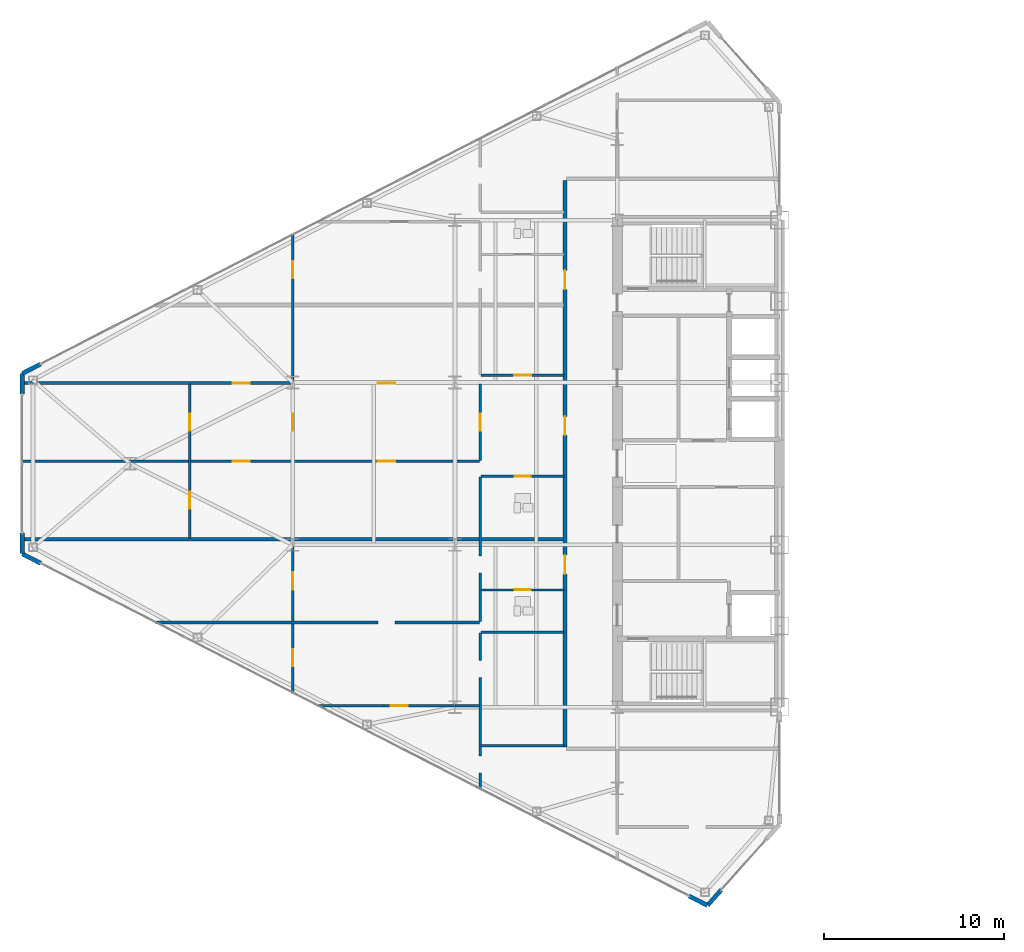
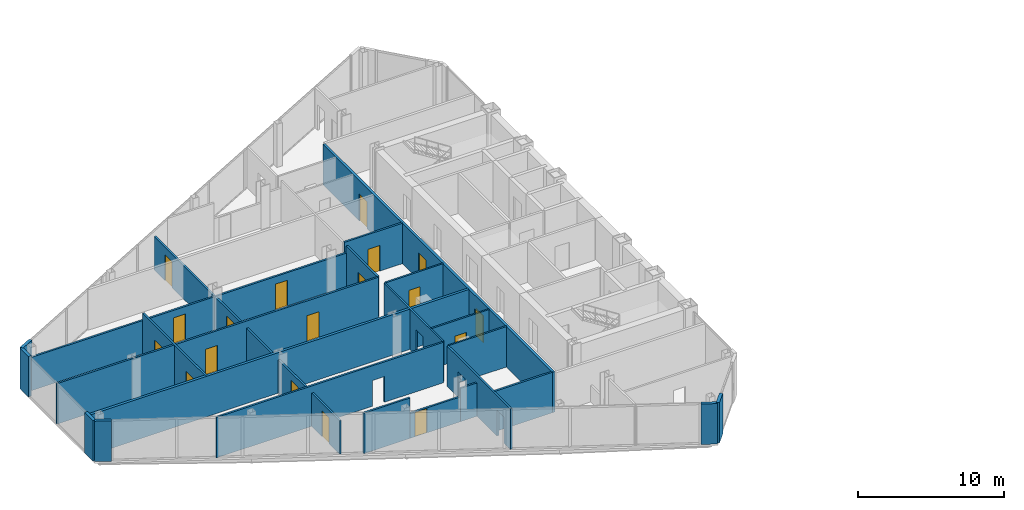
# One storey, part 15 of 23: 24 walls, 18 doors, 22 openings.
"""IFC4 building model written with IfcOpenShell, lengths in metres."""

from ifc_helpers import new_model, si_unit, direction, frame, frame_2d, origin, place, context, subcontext, project, spatial, rectangle, extrude, source, transform, mapped, material, layer, layer_set, type_object, type_shapes, element, fill, save


model = new_model("IFC4")

# Units and contexts
model_context = context("Model", 3, precision=1e-05, world=origin(), true_north=direction((0.0, 1.0)))
body_context = subcontext(model_context, "Body", "Model", "MODEL_VIEW")
ifc_project = project(units=[si_unit("LENGTHUNIT", "METRE"), si_unit("AREAUNIT", "SQUARE_METRE"), si_unit("VOLUMEUNIT", "CUBIC_METRE"), si_unit("PLANEANGLEUNIT", "RADIAN"), si_unit("MASSUNIT", "GRAM", prefix="KILO")], contexts=[model_context])

# Site, building, storey
site_placement = place(None, origin())
site = spatial("IfcSite", under=ifc_project, at=site_placement, CompositionType="ELEMENT")
building_placement = place(site_placement, origin())
building = spatial("IfcBuilding", under=site, at=building_placement, Name="Seokmaru Belvedere", CompositionType="ELEMENT")
storey_placement = place(building_placement, frame((0.0, 0.0, 154.800048828125)))
storey = spatial("IfcBuildingStorey", under=building, at=storey_placement, Name="L41", CompositionType="ELEMENT", Elevation=154.800048828125)

# Walls
ifc_material_1 = material(Name="Fire-Rated Gypsum Shaftwall")
ifc_layer_1 = layer(ifc_material_1, 0.14990234375)
ifc_layer_set_1 = layer_set([ifc_layer_1], Name="Fire-Rated Gypsum Shaftwall")
wall_type_1 = type_object("IfcWallType", Name="Apartment Fire-Acoustic Room Partition 150", PredefinedType="PARTITIONING", material=ifc_layer_set_1)
wall_1_placement = place(storey_placement, frame((-44.050048828125, -15.639892578125, 0.0), z_axis=(0.0, 0.0, 1.0), x_axis=(1.0, 0.0, 0.0)))
element("IfcWall", 1, at=wall_1_placement, inside=storey, type_object=wall_type_1, Name="L41 Interior Partition 006", PredefinedType="PARTITIONING", context=body_context, shape_type="SweptSolid", body=[
    extrude(rectangle(XDim=4.60009765625, YDim=0.14990234375, at=frame_2d((2.300048828125, 0.0))), origin(), (0.0, 0.0, 1.0), 3.3798828125),
])
wall_2_placement = place(storey_placement, frame((-53.12109375, -13.419921875, 0.0), z_axis=(0.0, 0.0, 1.0), x_axis=(1.0, 0.0, 0.0)))
element("IfcWall", 2, at=wall_2_placement, inside=storey, type_object=wall_type_1, Name="L41 Interior Partition 008", PredefinedType="PARTITIONING", context=body_context, shape_type="SweptSolid", body=[
    extrude(rectangle(XDim=3.67138671875, YDim=0.14990234375, at=frame_2d((1.835693359375, 0.0))), origin(), (0.0, 0.0, 1.0), 3.3798828125),
])

# Wall, opening, door
wall_3_placement = place(storey_placement, frame((-49.44970703125, -13.419921875, 0.0), z_axis=(0.0, 0.0, 1.0), x_axis=(1.0, 0.0, 0.0)))
wall_3 = element("IfcWall", 3, at=wall_3_placement, inside=storey, type_object=wall_type_1, Name="L41 Interior Partition 008 Part 2", PredefinedType="PARTITIONING", context=body_context, shape_type="SweptSolid", body=[
    extrude(rectangle(XDim=3.984619140625, YDim=0.14990234375, at=frame_2d((1.9921875, 0.0))), origin(), (0.0, 0.0, 1.0), 2.079833984375),
])
opening_1_placement = place(wall_3_placement, frame((0.381591796875, 0.0, 0.0)))
opening_1 = element("IfcOpeningElement", 4, at=opening_1_placement, cuts=wall_3, Name="Opening D05", PredefinedType="OPENING", context=body_context, shape_type="SweptSolid", body=[
    extrude(rectangle(XDim=0.949951171875, YDim=2.030029296875, at=frame_2d((0.47509765625, 1.01513671875))), frame((0.0, 0.0849609375, 0.0), z_axis=(0.0, -1.0, 0.0), x_axis=(1.0, 0.0, 0.0)), (0.0, 0.0, 1.0), 0.169921875),
])
ifc_material_2 = material(Name="Engineered White Oak Timber", Category="wood")
door_type_1 = type_object("IfcDoorType", Name="Apartment Interior Fire-Rated Oak Door 950x2150", OperationType="NOTDEFINED", PredefinedType="DOOR", material=ifc_material_2)
shared_shape_1 = source(origin(), body_context, "Body", "SweptSolid", [
    extrude(rectangle(XDim=0.949951171875, YDim=2.030029296875, at=frame_2d((0.47509765625, 1.01513671875))), frame((0.0, 0.02490234375, 0.0), z_axis=(0.0, -1.0, 0.0), x_axis=(1.0, 0.0, 0.0)), (0.0, 0.0, 1.0), 0.050048828125),
])
door_1_placement = place(opening_1_placement, origin())
door_1 = element("IfcDoor", 5, at=door_1_placement, inside=storey, type_object=door_type_1, Name="L41 Interior Door 008", OperationType="SINGLE_SWING_RIGHT", OverallHeight=2.030029296875, OverallWidth=0.949951171875, PredefinedType="DOOR", context=body_context, shape_type="MappedRepresentation", body=[
    mapped(shared_shape_1, transform((0.0, 0.0, 0.0), scale=1.0)),
])
fill(opening_1, door_1)

# Wall
wall_4_placement = place(storey_placement, frame((-45.465087890625, -13.419921875, 0.0), z_axis=(0.0, 0.0, 1.0), x_axis=(1.0, 0.0, 0.0)))
element("IfcWall", 6, at=wall_4_placement, inside=storey, type_object=wall_type_1, Name="L41 Interior Partition 008 Part 3", PredefinedType="PARTITIONING", context=body_context, shape_type="SweptSolid", body=[
    extrude(rectangle(XDim=1.315185546875, YDim=0.14990234375, at=frame_2d((0.65771484375, 0.0))), origin(), (0.0, 0.0, 1.0), 2.780029296875),
])

# Wall, opening
wall_5_placement = place(storey_placement, frame((-62.10791015625, -8.81005859375, 0.0), z_axis=(0.0, 0.0, 1.0), x_axis=(1.0, 0.0, 0.0)))
wall_5 = element("IfcWall", 7, at=wall_5_placement, inside=storey, type_object=wall_type_1, Name="L41 Interior Partition 012", PredefinedType="PARTITIONING", context=body_context, shape_type="SweptSolid", body=[
    extrude(rectangle(XDim=17.9580078125, YDim=0.14990234375, at=frame_2d((8.97900390625, 0.0))), origin(), (0.0, 0.0, 1.0), 3.3798828125),
])
opening_2_placement = place(wall_5_placement, frame((12.3330078125, 0.0, 0.0)))
element("IfcOpeningElement", 8, at=opening_2_placement, cuts=wall_5, Name="L41 Cased Opening 005", PredefinedType="OPENING", context=body_context, shape_type="SweptSolid", body=[
    extrude(rectangle(XDim=0.949951171875, YDim=2.14990234375, at=frame_2d((0.47509765625, 1.074951171875))), frame((0.0, 0.0849609375, 0.0), z_axis=(0.0, -1.0, 0.0), x_axis=(1.0, 0.0, 0.0)), (0.0, 0.0, 1.0), 0.169921875),
])

# Wall, openings, doors
wall_6_placement = place(storey_placement, frame((-69.534912109375, 0.1298828125, 0.0), z_axis=(0.0, 0.0, 1.0), x_axis=(1.0, 0.0, 0.0)))
wall_6 = element("IfcWall", 9, at=wall_6_placement, inside=storey, type_object=wall_type_1, Name="L41 Interior Partition 020", PredefinedType="PARTITIONING", context=body_context, shape_type="SweptSolid", body=[
    extrude(rectangle(XDim=25.385009765625, YDim=0.14990234375, at=frame_2d((12.6923828125, 0.0))), origin(), (0.0, 0.0, 1.0), 3.3798828125),
])
opening_3_placement = place(wall_6_placement, frame((19.760009765625, 0.0, 0.0)))
opening_3 = element("IfcOpeningElement", 10, at=opening_3_placement, cuts=wall_6, Name="Opening D05", PredefinedType="OPENING", context=body_context, shape_type="SweptSolid", body=[
    extrude(rectangle(XDim=0.949951171875, YDim=2.14990234375, at=frame_2d((0.47509765625, 1.074951171875))), frame((0.0, 0.0849609375, 0.0), z_axis=(0.0, -1.0, 0.0), x_axis=(1.0, 0.0, 0.0)), (0.0, 0.0, 1.0), 0.169921875),
])
opening_4_placement = place(wall_6_placement, frame((11.7099609375, 0.0, 0.0)))
opening_4 = element("IfcOpeningElement", 11, at=opening_4_placement, cuts=wall_6, Name="Opening D05", PredefinedType="OPENING", context=body_context, shape_type="SweptSolid", body=[
    extrude(rectangle(XDim=0.949951171875, YDim=2.14990234375, at=frame_2d((0.47509765625, 1.074951171875))), frame((0.0, 0.0849609375, 0.0), z_axis=(0.0, -1.0, 0.0), x_axis=(1.0, 0.0, 0.0)), (0.0, 0.0, 1.0), 0.169921875),
])
shared_shape_2 = source(origin(), body_context, "Body", "SweptSolid", [
    extrude(rectangle(XDim=0.949951171875, YDim=2.14990234375, at=frame_2d((0.47509765625, 1.074951171875))), frame((0.0, 0.02490234375, 0.0), z_axis=(0.0, -1.0, 0.0), x_axis=(1.0, 0.0, 0.0)), (0.0, 0.0, 1.0), 0.050048828125),
])
type_shapes(door_type_1, [shared_shape_2, shared_shape_1])
door_2_placement = place(opening_3_placement, origin())
door_2 = element("IfcDoor", 12, at=door_2_placement, inside=storey, type_object=door_type_1, Name="L41 Interior Door 017", OperationType="SINGLE_SWING_LEFT", OverallHeight=2.14990234375, OverallWidth=0.949951171875, PredefinedType="DOOR", context=body_context, shape_type="MappedRepresentation", body=[
    mapped(shared_shape_2, transform((0.0, 0.0, 0.0), scale=1.0)),
])
fill(opening_3, door_2)
door_3_placement = place(opening_4_placement, origin())
door_3 = element("IfcDoor", 13, at=door_3_placement, inside=storey, type_object=door_type_1, Name="L41 Interior Door 019", OperationType="SINGLE_SWING_LEFT", OverallHeight=2.14990234375, OverallWidth=0.949951171875, PredefinedType="DOOR", context=body_context, shape_type="MappedRepresentation", body=[
    mapped(shared_shape_2, transform((0.0, 0.0, 0.0), scale=1.0)),
])
fill(opening_4, door_3)

wall_7_placement = place(storey_placement, frame((-69.375, 4.469970703125, 0.0), z_axis=(0.0, 0.0, 1.0), x_axis=(1.0, 0.0, 0.0)))
wall_7 = element("IfcWall", 14, at=wall_7_placement, inside=storey, type_object=wall_type_1, Name="L41 Interior Partition 023", PredefinedType="PARTITIONING", context=body_context, shape_type="SweptSolid", body=[
    extrude(rectangle(XDim=25.22509765625, YDim=0.14990234375, at=frame_2d((12.612548828125, 0.0))), origin(), (0.0, 0.0, 1.0), 2.780029296875),
])
opening_5_placement = place(wall_7_placement, frame((19.60009765625, 0.0, 0.0)))
opening_5 = element("IfcOpeningElement", 15, at=opening_5_placement, cuts=wall_7, Name="Opening D05", PredefinedType="OPENING", context=body_context, shape_type="SweptSolid", body=[
    extrude(rectangle(XDim=0.949951171875, YDim=2.14990234375, at=frame_2d((0.47509765625, 1.074951171875))), frame((0.0, 0.0849609375, 0.0), z_axis=(0.0, -1.0, 0.0), x_axis=(1.0, 0.0, 0.0)), (0.0, 0.0, 1.0), 0.169921875),
])
opening_6_placement = place(wall_7_placement, frame((11.550048828125, 0.0, 0.0)))
opening_6 = element("IfcOpeningElement", 16, at=opening_6_placement, cuts=wall_7, Name="Opening D05", PredefinedType="OPENING", context=body_context, shape_type="SweptSolid", body=[
    extrude(rectangle(XDim=0.949951171875, YDim=2.14990234375, at=frame_2d((0.47509765625, 1.074951171875))), frame((0.0, 0.0849609375, 0.0), z_axis=(0.0, -1.0, 0.0), x_axis=(1.0, 0.0, 0.0)), (0.0, 0.0, 1.0), 0.169921875),
])
door_4_placement = place(opening_5_placement, origin())
door_4 = element("IfcDoor", 17, at=door_4_placement, inside=storey, type_object=door_type_1, Name="L41 Interior Door 018", OperationType="SINGLE_SWING_RIGHT", OverallHeight=2.14990234375, OverallWidth=0.949951171875, PredefinedType="DOOR", context=body_context, shape_type="MappedRepresentation", body=[
    mapped(shared_shape_2, transform((0.0, 0.0, 0.0), scale=1.0)),
])
fill(opening_5, door_4)
door_5_placement = place(opening_6_placement, origin())
door_5 = element("IfcDoor", 18, at=door_5_placement, inside=storey, type_object=door_type_1, Name="L41 Interior Door 022", OperationType="SINGLE_SWING_RIGHT", OverallHeight=2.14990234375, OverallWidth=0.949951171875, PredefinedType="DOOR", context=body_context, shape_type="MappedRepresentation", body=[
    mapped(shared_shape_2, transform((0.0, 0.0, 0.0), scale=1.0)),
])
fill(opening_6, door_5)

# Wall, opening, door
wall_8_placement = place(storey_placement, frame((-44.050048828125, 4.89990234375, 0.0), z_axis=(0.0, 0.0, 1.0), x_axis=(1.0, 0.0, 0.0)))
wall_8 = element("IfcWall", 19, at=wall_8_placement, inside=storey, type_object=wall_type_1, Name="L41 Interior Partition 024", PredefinedType="PARTITIONING", context=body_context, shape_type="SweptSolid", body=[
    extrude(rectangle(XDim=4.60009765625, YDim=0.14990234375, at=frame_2d((2.300048828125, 0.0))), origin(), (0.0, 0.0, 1.0), 3.3798828125),
])
opening_7_placement = place(wall_8_placement, frame((1.824951171875, 0.0, 0.0)))
opening_7 = element("IfcOpeningElement", 20, at=opening_7_placement, cuts=wall_8, Name="Opening D05", PredefinedType="OPENING", context=body_context, shape_type="SweptSolid", body=[
    extrude(rectangle(XDim=0.949951171875, YDim=2.14990234375, at=frame_2d((0.47509765625, 1.074951171875))), frame((0.0, 0.0849609375, 0.0), z_axis=(0.0, -1.0, 0.0), x_axis=(1.0, 0.0, 0.0)), (0.0, 0.0, 1.0), 0.169921875),
])
door_6_placement = place(opening_7_placement, origin())
door_6 = element("IfcDoor", 21, at=door_6_placement, inside=storey, type_object=door_type_1, Name="L41 Interior Door 014", OperationType="SINGLE_SWING_LEFT", OverallHeight=2.14990234375, OverallWidth=0.949951171875, PredefinedType="DOOR", context=body_context, shape_type="MappedRepresentation", body=[
    mapped(shared_shape_2, transform((0.0, 0.0, 0.0), scale=1.0)),
])
fill(opening_7, door_6)

# Wall, openings, doors
wall_9_placement = place(storey_placement, frame((-60.199951171875, -4.14990234375, 0.0), z_axis=(0.0, 0.0, 1.0), x_axis=(0.0, 1.0, 0.0)))
wall_9 = element("IfcWall", 22, at=wall_9_placement, inside=storey, type_object=wall_type_1, Name="L41 Interior Partition 038", PredefinedType="PARTITIONING", context=body_context, shape_type="SweptSolid", body=[
    extrude(rectangle(XDim=8.56689453125, YDim=0.14990234375, at=frame_2d((4.283447265625, 0.0))), origin(), (0.0, 0.0, 1.0), 3.3798828125),
])
opening_8_placement = place(wall_9_placement, frame((1.6416015625, 0.0, 0.0)))
opening_8 = element("IfcOpeningElement", 23, at=opening_8_placement, cuts=wall_9, Name="Opening D05", PredefinedType="OPENING", context=body_context, shape_type="SweptSolid", body=[
    extrude(rectangle(XDim=0.949951171875, YDim=2.14990234375, at=frame_2d((0.47509765625, 1.074951171875))), frame((0.0, 0.0849609375, 0.0), z_axis=(0.0, -1.0, 0.0), x_axis=(1.0, 0.0, 0.0)), (0.0, 0.0, 1.0), 0.169921875),
])
opening_9_placement = place(wall_9_placement, frame((5.97509765625, 0.0, 0.0)))
opening_9 = element("IfcOpeningElement", 24, at=opening_9_placement, cuts=wall_9, Name="Opening D05", PredefinedType="OPENING", context=body_context, shape_type="SweptSolid", body=[
    extrude(rectangle(XDim=0.949951171875, YDim=2.14990234375, at=frame_2d((0.47509765625, 1.074951171875))), frame((0.0, 0.0849609375, 0.0), z_axis=(0.0, -1.0, 0.0), x_axis=(1.0, 0.0, 0.0)), (0.0, 0.0, 1.0), 0.169921875),
])
door_7_placement = place(opening_8_placement, origin())
door_7 = element("IfcDoor", 25, at=door_7_placement, inside=storey, type_object=door_type_1, Name="L41 Interior Door 020", OperationType="SINGLE_SWING_RIGHT", OverallHeight=2.14990234375, OverallWidth=0.949951171875, PredefinedType="DOOR", context=body_context, shape_type="MappedRepresentation", body=[
    mapped(shared_shape_2, transform((0.0, 0.0, 0.0), scale=1.0)),
])
fill(opening_8, door_7)
door_8_placement = place(opening_9_placement, origin())
door_8 = element("IfcDoor", 26, at=door_8_placement, inside=storey, type_object=door_type_1, Name="L41 Interior Door 021", OperationType="SINGLE_SWING_RIGHT", OverallHeight=2.14990234375, OverallWidth=0.949951171875, PredefinedType="DOOR", context=body_context, shape_type="MappedRepresentation", body=[
    mapped(shared_shape_2, transform((0.0, 0.0, 0.0), scale=1.0)),
])
fill(opening_9, door_8)

wall_10_placement = place(storey_placement, frame((-54.5, -12.73193359375, 0.0), z_axis=(0.0, 0.0, 1.0), x_axis=(0.0, 1.0, 0.0)))
wall_10 = element("IfcWall", 27, at=wall_10_placement, inside=storey, type_object=wall_type_1, Name="L41 Interior Partition 039", PredefinedType="PARTITIONING", context=body_context, shape_type="SweptSolid", body=[
    extrude(rectangle(XDim=25.4638671875, YDim=0.14990234375, at=frame_2d((12.73193359375, 0.0))), origin(), (0.0, 0.0, 1.0), 2.780029296875),
])
opening_10_placement = place(wall_10_placement, frame((5.751220703125, 0.0, 0.0)))
opening_10 = element("IfcOpeningElement", 28, at=opening_10_placement, cuts=wall_10, Name="Opening D05", PredefinedType="OPENING", context=body_context, shape_type="SweptSolid", body=[
    extrude(rectangle(XDim=0.949951171875, YDim=2.14990234375, at=frame_2d((0.47509765625, 1.074951171875))), frame((0.0, 0.0849609375, 0.0), z_axis=(0.0, -1.0, 0.0), x_axis=(1.0, 0.0, 0.0)), (0.0, 0.0, 1.0), 0.169921875),
])
opening_11_placement = place(wall_10_placement, frame((1.502685546875, 0.0, 0.0)))
opening_11 = element("IfcOpeningElement", 29, at=opening_11_placement, cuts=wall_10, Name="Opening D05", PredefinedType="OPENING", context=body_context, shape_type="SweptSolid", body=[
    extrude(rectangle(XDim=0.949951171875, YDim=2.14990234375, at=frame_2d((0.47509765625, 1.074951171875))), frame((0.0, 0.0849609375, 0.0), z_axis=(0.0, -1.0, 0.0), x_axis=(1.0, 0.0, 0.0)), (0.0, 0.0, 1.0), 0.169921875),
])
opening_12_placement = place(wall_10_placement, frame((14.556884765625, 0.0, 0.0)))
opening_12 = element("IfcOpeningElement", 30, at=opening_12_placement, cuts=wall_10, Name="Opening D05", PredefinedType="OPENING", context=body_context, shape_type="SweptSolid", body=[
    extrude(rectangle(XDim=0.949951171875, YDim=2.14990234375, at=frame_2d((0.47509765625, 1.074951171875))), frame((0.0, 0.0849609375, 0.0), z_axis=(0.0, -1.0, 0.0), x_axis=(1.0, 0.0, 0.0)), (0.0, 0.0, 1.0), 0.169921875),
])
opening_13_placement = place(wall_10_placement, frame((23.005615234375, 0.0, 0.0)))
opening_13 = element("IfcOpeningElement", 31, at=opening_13_placement, cuts=wall_10, Name="Opening D05", PredefinedType="OPENING", context=body_context, shape_type="SweptSolid", body=[
    extrude(rectangle(XDim=0.949951171875, YDim=2.14990234375, at=frame_2d((0.47509765625, 1.074951171875))), frame((0.0, 0.0849609375, 0.0), z_axis=(0.0, -1.0, 0.0), x_axis=(1.0, 0.0, 0.0)), (0.0, 0.0, 1.0), 0.169921875),
])
door_9_placement = place(opening_10_placement, origin())
door_9 = element("IfcDoor", 32, at=door_9_placement, inside=storey, type_object=door_type_1, Name="L41 Interior Door 004", OperationType="SINGLE_SWING_LEFT", OverallHeight=2.14990234375, OverallWidth=0.949951171875, PredefinedType="DOOR", context=body_context, shape_type="MappedRepresentation", body=[
    mapped(shared_shape_2, transform((0.0, 0.0, 0.0), scale=1.0)),
])
fill(opening_10, door_9)
door_10_placement = place(opening_11_placement, origin())
door_10 = element("IfcDoor", 33, at=door_10_placement, inside=storey, type_object=door_type_1, Name="L41 Interior Door 007", OperationType="SINGLE_SWING_RIGHT", OverallHeight=2.14990234375, OverallWidth=0.949951171875, PredefinedType="DOOR", context=body_context, shape_type="MappedRepresentation", body=[
    mapped(shared_shape_2, transform((0.0, 0.0, 0.0), scale=1.0)),
])
fill(opening_11, door_10)
door_11_placement = place(opening_12_placement, origin())
door_11 = element("IfcDoor", 34, at=door_11_placement, inside=storey, type_object=door_type_1, Name="L41 Interior Door 016", OperationType="SINGLE_SWING_LEFT", OverallHeight=2.14990234375, OverallWidth=0.949951171875, PredefinedType="DOOR", context=body_context, shape_type="MappedRepresentation", body=[
    mapped(shared_shape_2, transform((0.0, 0.0, 0.0), scale=1.0)),
])
fill(opening_12, door_11)
door_12_placement = place(opening_13_placement, origin())
door_12 = element("IfcDoor", 35, at=door_12_placement, inside=storey, type_object=door_type_1, Name="L41 Interior Door 026", OperationType="SINGLE_SWING_RIGHT", OverallHeight=2.14990234375, OverallWidth=0.949951171875, PredefinedType="DOOR", context=body_context, shape_type="MappedRepresentation", body=[
    mapped(shared_shape_2, transform((0.0, 0.0, 0.0), scale=1.0)),
])
fill(opening_13, door_12)

# Wall, openings
wall_11_placement = place(storey_placement, frame((-44.10009765625, -18.069091796875, 0.0), z_axis=(0.0, 0.0, 1.0), x_axis=(0.0, 1.0, 0.0)))
wall_11 = element("IfcWall", 36, at=wall_11_placement, inside=storey, type_object=wall_type_1, Name="L41 Interior Partition 040", PredefinedType="PARTITIONING", context=body_context, shape_type="SweptSolid", body=[
    extrude(rectangle(XDim=8.674072265625, YDim=0.14990234375, at=frame_2d((4.3369140625, 0.0))), origin(), (0.0, 0.0, 1.0), 3.3798828125),
])
opening_14_placement = place(wall_11_placement, frame((6.210205078125, 0.0, 0.0)))
element("IfcOpeningElement", 37, at=opening_14_placement, cuts=wall_11, Name="L41 Cased Opening 006", PredefinedType="OPENING", context=body_context, shape_type="SweptSolid", body=[
    extrude(rectangle(XDim=0.949951171875, YDim=2.14990234375, at=frame_2d((0.47509765625, 1.074951171875))), frame((0.0, 0.0849609375, 0.0), z_axis=(0.0, -1.0, 0.0), x_axis=(1.0, 0.0, 0.0)), (0.0, 0.0, 1.0), 0.169921875),
])
opening_15_placement = place(wall_11_placement, frame((0.90380859375, 0.0, 0.0)))
element("IfcOpeningElement", 38, at=opening_15_placement, cuts=wall_11, Name="L41 Cased Opening 009", PredefinedType="OPENING", context=body_context, shape_type="SweptSolid", body=[
    extrude(rectangle(XDim=0.949951171875, YDim=2.14990234375, at=frame_2d((0.47509765625, 1.074951171875))), frame((0.0, 0.0849609375, 0.0), z_axis=(0.0, -1.0, 0.0), x_axis=(1.0, 0.0, 0.0)), (0.0, 0.0, 1.0), 0.169921875),
])

# Wall, opening, door
wall_12_placement = place(storey_placement, frame((-44.10009765625, 0.18310546875, 0.0), z_axis=(0.0, 0.0, 1.0), x_axis=(0.0, 1.0, 0.0)))
wall_12 = element("IfcWall", 39, at=wall_12_placement, inside=storey, type_object=wall_type_1, Name="L41 Interior Partition 042", PredefinedType="PARTITIONING", context=body_context, shape_type="SweptSolid", body=[
    extrude(rectangle(XDim=4.23388671875, YDim=0.14990234375, at=frame_2d((2.116943359375, 0.0))), origin(), (0.0, 0.0, 1.0), 3.3798828125),
])
opening_16_placement = place(wall_12_placement, frame((1.64208984375, 0.0, 0.0)))
opening_16 = element("IfcOpeningElement", 40, at=opening_16_placement, cuts=wall_12, Name="Opening D05", PredefinedType="OPENING", context=body_context, shape_type="SweptSolid", body=[
    extrude(rectangle(XDim=0.949951171875, YDim=2.14990234375, at=frame_2d((0.47509765625, 1.074951171875))), frame((0.0, 0.0849609375, 0.0), z_axis=(0.0, -1.0, 0.0), x_axis=(1.0, 0.0, 0.0)), (0.0, 0.0, 1.0), 0.169921875),
])
door_13_placement = place(opening_16_placement, origin())
door_13 = element("IfcDoor", 41, at=door_13_placement, inside=storey, type_object=door_type_1, Name="L41 Interior Door 015", OperationType="SINGLE_SWING_RIGHT", OverallHeight=2.14990234375, OverallWidth=0.949951171875, PredefinedType="DOOR", context=body_context, shape_type="MappedRepresentation", body=[
    mapped(shared_shape_2, transform((0.0, 0.0, 0.0), scale=1.0)),
])
fill(opening_16, door_13)

# Wall
ifc_layer_2 = layer(ifc_material_1, 0.199951171875)
ifc_layer_set_2 = layer_set([ifc_layer_2], Name="Fire-Rated Gypsum Shaftwall")
wall_type_2 = type_object("IfcWallType", Name="Inter-Tenancy Fire Compartment Partition 200", PredefinedType="PARTITIONING", material=ifc_layer_set_2)
wall_13_placement = place(storey_placement, frame((-69.375, -4.199951171875, 0.0), z_axis=(0.0, 0.0, 1.0), x_axis=(1.0, 0.0, 0.0)))
element("IfcWall", 42, at=wall_13_placement, inside=storey, type_object=wall_type_2, Name="L41 Interior Partition 017", PredefinedType="PARTITIONING", context=body_context, shape_type="SweptSolid", body=[
    extrude(rectangle(XDim=29.89501953125, YDim=0.199951171875, at=frame_2d((14.947509765625, 0.0))), origin(), (0.0, 0.0, 1.0), 3.3798828125),
])

# Wall, openings, doors
wall_14_placement = place(storey_placement, frame((-39.39990234375, -15.715087890625, 0.0), z_axis=(0.0, 0.0, 1.0), x_axis=(0.0, 1.0, 0.0)))
wall_14 = element("IfcWall", 43, at=wall_14_placement, inside=storey, type_object=wall_type_2, Name="L41 Interior Partition 045", PredefinedType="PARTITIONING", context=body_context, shape_type="SweptSolid", body=[
    extrude(rectangle(XDim=31.43017578125, YDim=0.199951171875, at=frame_2d((15.715087890625, 0.0))), origin(), (0.0, 0.0, 1.0), 3.3798828125),
])
opening_17_placement = place(wall_14_placement, frame((9.592529296875, 0.0, 0.0)))
opening_17 = element("IfcOpeningElement", 44, at=opening_17_placement, cuts=wall_14, Name="Opening D03", PredefinedType="OPENING", context=body_context, shape_type="SweptSolid", body=[
    extrude(rectangle(XDim=1.050048828125, YDim=2.25, at=frame_2d((0.52490234375, 1.125))), frame((0.0, 0.10986328125, 0.0), z_axis=(0.0, -1.0, 0.0), x_axis=(1.0, 0.0, 0.0)), (0.0, 0.0, 1.0), 0.219970703125),
])
opening_18_placement = place(wall_14_placement, frame((17.294921875, 0.0, 0.0)))
opening_18 = element("IfcOpeningElement", 45, at=opening_18_placement, cuts=wall_14, Name="Opening D03", PredefinedType="OPENING", context=body_context, shape_type="SweptSolid", body=[
    extrude(rectangle(XDim=1.050048828125, YDim=2.25, at=frame_2d((0.52490234375, 1.125))), frame((0.0, 0.10986328125, 0.0), z_axis=(0.0, -1.0, 0.0), x_axis=(1.0, 0.0, 0.0)), (0.0, 0.0, 1.0), 0.219970703125),
])
opening_19_placement = place(wall_14_placement, frame((25.387451171875, 0.0, 0.0)))
opening_19 = element("IfcOpeningElement", 46, at=opening_19_placement, cuts=wall_14, Name="Opening D03", PredefinedType="OPENING", context=body_context, shape_type="SweptSolid", body=[
    extrude(rectangle(XDim=1.050048828125, YDim=2.25, at=frame_2d((0.52490234375, 1.125))), frame((0.0, 0.10986328125, 0.0), z_axis=(0.0, -1.0, 0.0), x_axis=(1.0, 0.0, 0.0)), (0.0, 0.0, 1.0), 0.219970703125),
])
ifc_material_3 = material(Name="Fire-Rated Steel Leaf", Category="steel")
door_type_2 = type_object("IfcDoorType", Name="Apartment Entrance Fire Door 1050x2250", OperationType="NOTDEFINED", PredefinedType="DOOR", material=ifc_material_3)
shared_shape_3 = source(origin(), body_context, "Body", "SweptSolid", [
    extrude(rectangle(XDim=1.050048828125, YDim=2.25, at=frame_2d((0.52490234375, 1.125))), frame((0.0, 0.02490234375, 0.0), z_axis=(0.0, -1.0, 0.0), x_axis=(1.0, 0.0, 0.0)), (0.0, 0.0, 1.0), 0.050048828125),
])
type_shapes(door_type_2, [shared_shape_3])
door_14_placement = place(opening_17_placement, origin())
door_14 = element("IfcDoor", 47, at=door_14_placement, inside=storey, type_object=door_type_2, Name="L41 Interior Door 001", OperationType="SINGLE_SWING_RIGHT", OverallHeight=2.25, OverallWidth=1.050048828125, PredefinedType="DOOR", context=body_context, shape_type="MappedRepresentation", body=[
    mapped(shared_shape_3, transform((0.0, 0.0, 0.0), scale=1.0)),
])
fill(opening_17, door_14)
door_15_placement = place(opening_18_placement, origin())
door_15 = element("IfcDoor", 48, at=door_15_placement, inside=storey, type_object=door_type_2, Name="L41 Interior Door 012", OperationType="SINGLE_SWING_LEFT", OverallHeight=2.25, OverallWidth=1.050048828125, PredefinedType="DOOR", context=body_context, shape_type="MappedRepresentation", body=[
    mapped(shared_shape_3, transform((0.0, 0.0, 0.0), scale=1.0)),
])
fill(opening_18, door_15)
door_16_placement = place(opening_19_placement, origin())
door_16 = element("IfcDoor", 49, at=door_16_placement, inside=storey, type_object=door_type_2, Name="L41 Interior Door 023", OperationType="SINGLE_SWING_RIGHT", OverallHeight=2.25, OverallWidth=1.050048828125, PredefinedType="DOOR", context=body_context, shape_type="MappedRepresentation", body=[
    mapped(shared_shape_3, transform((0.0, 0.0, 0.0), scale=1.0)),
])
fill(opening_19, door_16)

# Wall
ifc_layer_3 = layer(ifc_material_1, 0.1298828125)
ifc_layer_set_3 = layer_set([ifc_layer_3], Name="Fire-Rated Gypsum Shaftwall")
wall_type_3 = type_object("IfcWallType", Name="Moisture-Resistant Fire-Rated Bathroom Partition 130", PredefinedType="PARTITIONING", material=ifc_layer_set_3)
wall_15_placement = place(storey_placement, frame((-44.050048828125, -9.35009765625, 0.0), z_axis=(0.0, 0.0, 1.0), x_axis=(1.0, 0.0, 0.0)))
element("IfcWall", 50, at=wall_15_placement, inside=storey, type_object=wall_type_3, Name="L41 Interior Partition 011", PredefinedType="PARTITIONING", context=body_context, shape_type="SweptSolid", body=[
    extrude(rectangle(XDim=4.60009765625, YDim=0.1298828125, at=frame_2d((2.300048828125, 0.0))), origin(), (0.0, 0.0, 1.0), 3.3798828125),
])

# Wall, opening, door
wall_16_placement = place(storey_placement, frame((-44.050048828125, -7.0, 0.0), z_axis=(0.0, 0.0, 1.0), x_axis=(1.0, 0.0, 0.0)))
wall_16 = element("IfcWall", 51, at=wall_16_placement, inside=storey, type_object=wall_type_3, Name="L41 Interior Partition 014", PredefinedType="PARTITIONING", context=body_context, shape_type="SweptSolid", body=[
    extrude(rectangle(XDim=4.60009765625, YDim=0.1298828125, at=frame_2d((2.300048828125, 0.0))), origin(), (0.0, 0.0, 1.0), 3.3798828125),
])
opening_20_placement = place(wall_16_placement, frame((1.860107421875, 0.0, 0.0)))
opening_20 = element("IfcOpeningElement", 52, at=opening_20_placement, cuts=wall_16, Name="Opening D06", PredefinedType="OPENING", context=body_context, shape_type="SweptSolid", body=[
    extrude(rectangle(XDim=0.8798828125, YDim=2.10009765625, at=frame_2d((0.43994140625, 1.050048828125))), frame((0.0, 0.074951171875, 0.0), z_axis=(0.0, -1.0, 0.0), x_axis=(1.0, 0.0, 0.0)), (0.0, 0.0, 1.0), 0.14990234375),
])
door_type_3 = type_object("IfcDoorType", Name="Bathroom and Restroom Fire-Rated Door 880x2100", OperationType="NOTDEFINED", PredefinedType="DOOR", material=ifc_material_2)
shared_shape_4 = source(origin(), body_context, "Body", "SweptSolid", [
    extrude(rectangle(XDim=0.8798828125, YDim=2.10009765625, at=frame_2d((0.43994140625, 1.050048828125))), frame((0.0, 0.02490234375, 0.0), z_axis=(0.0, -1.0, 0.0), x_axis=(1.0, 0.0, 0.0)), (0.0, 0.0, 1.0), 0.050048828125),
])
type_shapes(door_type_3, [shared_shape_4])
door_17_placement = place(opening_20_placement, origin())
door_17 = element("IfcDoor", 53, at=door_17_placement, inside=storey, type_object=door_type_3, Name="L41 Interior Door 002", OperationType="SINGLE_SWING_LEFT", OverallHeight=2.10009765625, OverallWidth=0.8798828125, PredefinedType="DOOR", context=body_context, shape_type="MappedRepresentation", body=[
    mapped(shared_shape_4, transform((0.0, 0.0, 0.0), scale=1.0)),
])
fill(opening_20, door_17)

wall_17_placement = place(storey_placement, frame((-44.050048828125, -0.68994140625, 0.0), z_axis=(0.0, 0.0, 1.0), x_axis=(1.0, 0.0, 0.0)))
wall_17 = element("IfcWall", 54, at=wall_17_placement, inside=storey, type_object=wall_type_3, Name="L41 Interior Partition 018", PredefinedType="PARTITIONING", context=body_context, shape_type="SweptSolid", body=[
    extrude(rectangle(XDim=4.60009765625, YDim=0.1298828125, at=frame_2d((2.300048828125, 0.0))), origin(), (0.0, 0.0, 1.0), 3.3798828125),
])
opening_21_placement = place(wall_17_placement, frame((1.860107421875, 0.0, 0.0)))
opening_21 = element("IfcOpeningElement", 55, at=opening_21_placement, cuts=wall_17, Name="Opening D06", PredefinedType="OPENING", context=body_context, shape_type="SweptSolid", body=[
    extrude(rectangle(XDim=0.8798828125, YDim=2.10009765625, at=frame_2d((0.43994140625, 1.050048828125))), frame((0.0, 0.074951171875, 0.0), z_axis=(0.0, -1.0, 0.0), x_axis=(1.0, 0.0, 0.0)), (0.0, 0.0, 1.0), 0.14990234375),
])
door_18_placement = place(opening_21_placement, origin())
door_18 = element("IfcDoor", 56, at=door_18_placement, inside=storey, type_object=door_type_3, Name="L41 Interior Door 013", OperationType="SINGLE_SWING_LEFT", OverallHeight=2.10009765625, OverallWidth=0.8798828125, PredefinedType="DOOR", context=body_context, shape_type="MappedRepresentation", body=[
    mapped(shared_shape_4, transform((0.0, 0.0, 0.0), scale=1.0)),
])
fill(opening_21, door_18)

# Wall, opening
wall_18_placement = place(storey_placement, frame((-44.10009765625, -8.760986328125, 0.0), z_axis=(0.0, 0.0, 1.0), x_axis=(0.0, 1.0, 0.0)))
wall_18 = element("IfcWall", 57, at=wall_18_placement, inside=storey, type_object=wall_type_3, Name="L41 Interior Partition 041", PredefinedType="PARTITIONING", context=body_context, shape_type="SweptSolid", body=[
    extrude(rectangle(XDim=8.01904296875, YDim=0.1298828125, at=frame_2d((4.009521484375, 0.0))), origin(), (0.0, 0.0, 1.0), 3.3798828125),
])
opening_22_placement = place(wall_18_placement, frame((2.6884765625, 0.0, 0.0)))
element("IfcOpeningElement", 58, at=opening_22_placement, cuts=wall_18, Name="L41 Cased Opening 003", PredefinedType="OPENING", context=body_context, shape_type="SweptSolid", body=[
    extrude(rectangle(XDim=0.949951171875, YDim=2.14990234375, at=frame_2d((0.47509765625, 1.074951171875))), frame((0.0, 0.074951171875, 0.0), z_axis=(0.0, -1.0, 0.0), x_axis=(1.0, 0.0, 0.0)), (0.0, 0.0, 1.0), 0.14990234375),
])

# Walls
ifc_material_4 = material(Name="Anodised Bronze Aluminium", Category="aluminium")
ifc_layer_4 = layer(ifc_material_4, 0.239990234375)
ifc_layer_set_4 = layer_set([ifc_layer_4], Name="Anodised Bronze Aluminium")
wall_type_4 = type_object("IfcWallType", Name="Tower Corner Spandrel Closure Wall 240", PredefinedType="SOLIDWALL", material=ifc_layer_set_4)
wall_19_placement = place(storey_placement, frame((-68.476806640625, 5.52490234375, 0.0), z_axis=(0.0, 0.0, 1.0), x_axis=(-0.889797395748, -0.456355776255, 0.0)))
element("IfcWall", 59, at=wall_19_placement, inside=storey, type_object=wall_type_4, Name="L41 W Corner Closure Pier 3B", PredefinedType="SOLIDWALL", context=body_context, shape_type="SweptSolid", body=[
    extrude(rectangle(XDim=1.14013671875, YDim=0.239990234375, at=frame_2d((0.570068359375, 0.0))), origin(), (0.0, 0.0, 1.0), 3.3798828125),
])
for number, where, z_axis, x_axis, name in (
    (60, (-69.5, 4.989990234375, 0.0), (0.0, 0.0, 1.0), (0.0, -1.0, 0.0), "L41 W Corner Closure Pier 4A"),
    (61, (-69.5, -3.85009765625, 0.0), (0.0, 0.0, 1.0), (0.0, -1.0, 0.0), "L41 W Corner Closure Pier 4B"),
):
    element("IfcWall", number, at=place(storey_placement, frame(where, z_axis=z_axis, x_axis=x_axis)), inside=storey, type_object=wall_type_4, Name=name, PredefinedType="SOLIDWALL", context=body_context, shape_type="SweptSolid", body=[
        extrude(rectangle(XDim=1.139892578125, YDim=0.239990234375, at=frame_2d((0.56982421875, 0.0))), origin(), (0.0, 0.0, 1.0), 3.3798828125),
    ])
for number, where, z_axis, x_axis, name in (
    (62, (-69.4912109375, -5.004638671875, 0.0), (0.0, 0.0, 1.0), (0.889797395748, -0.456355776255, 0.0), "L41 W Corner Closure Pier 5A"),
    (63, (-32.523193359375, -23.97509765625, 0.0), (0.0, 0.0, 1.0), (0.889797395748, -0.456355776255, 0.0), "L41 W Corner Closure Pier 5B"),
):
    element("IfcWall", number, at=place(storey_placement, frame(where, z_axis=z_axis, x_axis=x_axis)), inside=storey, type_object=wall_type_4, Name=name, PredefinedType="SOLIDWALL", context=body_context, shape_type="SweptSolid", body=[
        extrude(rectangle(XDim=1.14013671875, YDim=0.239990234375, at=frame_2d((0.570068359375, 0.0))), origin(), (0.0, 0.0, 1.0), 3.3798828125),
    ])
wall_20_placement = place(storey_placement, frame((-31.493408203125, -24.492431640625, 0.0), z_axis=(0.0, 0.0, 1.0), x_axis=(0.664337252513, 0.747432950119, 0.0)))
element("IfcWall", 64, at=wall_20_placement, inside=storey, type_object=wall_type_4, Name="L41 W Corner Closure Pier 6A", PredefinedType="SOLIDWALL", context=body_context, shape_type="SweptSolid", body=[
    extrude(rectangle(XDim=1.139892578125, YDim=0.239990234375, at=frame_2d((0.56982421875, 0.0))), origin(), (0.0, 0.0, 1.0), 3.3798828125),
])

save(model, "model.ifc")
